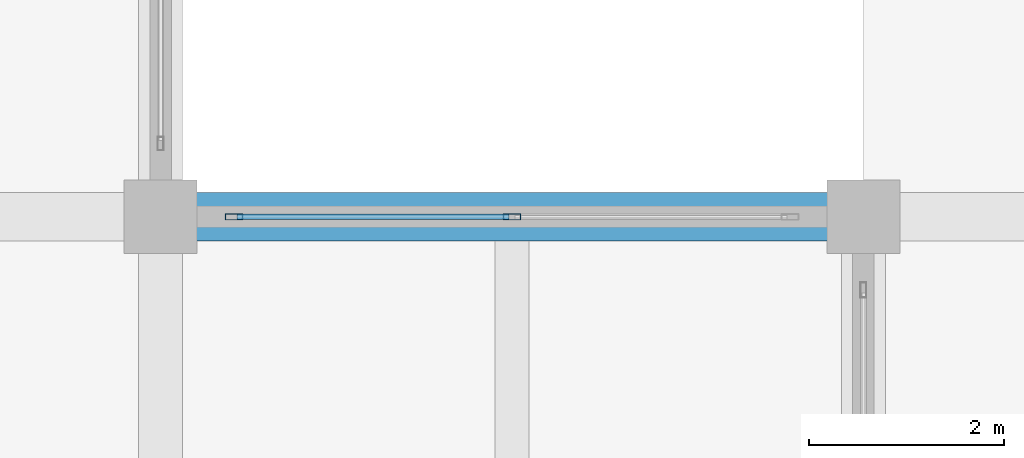
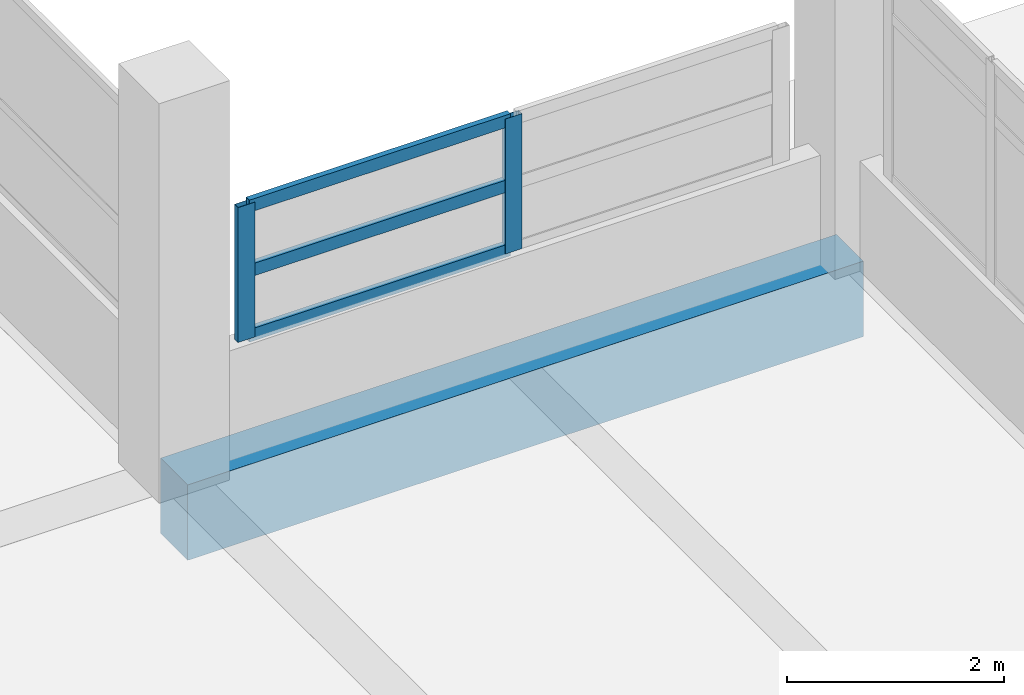
# One storey, part 41 of 141: 5 members, 1 beam, 1 element without a shape of its own.
"""IFC4 building model written with IfcOpenShell, lengths in metres."""

from ifc_helpers import new_model, si_unit, direction, frame, origin, origin_2d, place, context, subcontext, project, spatial, rectangle, hollow_rectangle, extrude, material, layer, layer_set, material_profile, profile_set, type_object, element, aggregate, save


model = new_model("IFC4")

# Units and contexts
model_context = context("Model", 3, precision=1e-05, world=origin(), true_north=direction((0.0, 1.0)))
body_context = subcontext(model_context, "Body", "Model", "MODEL_VIEW")
ifc_project = project(units=[si_unit("LENGTHUNIT", "METRE"), si_unit("AREAUNIT", "SQUARE_METRE"), si_unit("VOLUMEUNIT", "CUBIC_METRE"), si_unit("PLANEANGLEUNIT", "RADIAN"), si_unit("MASSUNIT", "GRAM", prefix="KILO")], contexts=[model_context])

# Site, building, storey
site_placement = place(None, origin())
site = spatial("IfcSite", under=ifc_project, at=site_placement, CompositionType="ELEMENT")
building_placement = place(site_placement, origin())
building = spatial("IfcBuilding", under=site, at=building_placement, Name="Seraya Terrace Polytechnic", CompositionType="ELEMENT")
storey_placement = place(building_placement, frame((0.0, 0.0, 14.39990234375)))
storey = spatial("IfcBuildingStorey", under=building, at=storey_placement, Name="L03", CompositionType="ELEMENT", Elevation=14.39990234375)

# Beam
ifc_material_1 = material(Name="Concrete C40/50", Category="concrete")
ifc_material_profile_1 = material_profile(ifc_material_1, rectangle(XDim=0.5, YDim=0.85009765625, at=origin_2d()), Name="RC 500x850")
ifc_profile_set_1 = profile_set([ifc_material_profile_1], Name="Concrete C40/50")
beam_type = type_object("IfcBeamType", Name="BM-05", PredefinedType="BEAM", material=ifc_profile_set_1)
beam_placement = place(storey_placement, frame((108.0, 28.800048828125, -0.4248046875), z_axis=(1.0, 0.0, 0.0), x_axis=(0.0, 1.0, 0.0)))
element("IfcBeam", 1, at=beam_placement, inside=storey, type_object=beam_type, Name="Beam BM-05 L03 X (108.0..115.2, 28.8)", PredefinedType="BEAM", context=body_context, shape_type="SweptSolid", body=[
    extrude(rectangle(XDim=0.5, YDim=0.85009765625, at=origin_2d()), origin(), (0.0, 0.0, 1.0), 7.199951171875),
])

# Curtain wall, members
ifc_material_2 = material(Name="Anodised aluminium EN AW-6063 T6", Category="aluminium")
ifc_layer = layer(ifc_material_2, 0.179931640625, Name="CW-25")
ifc_layer_set = layer_set([ifc_layer], Name="Anodised aluminium EN AW-6063 T6")
curtain_wall_type = type_object("IfcCurtainWallType", Name="CW-25", PredefinedType="NOTDEFINED", material=ifc_layer_set)
curtain_wall_placement = place(storey_placement, origin())
curtain_wall = element("IfcCurtainWall", 2, at=curtain_wall_placement, inside=storey, type_object=curtain_wall_type, Name="Unitised curtain wall CW-25 (CW-L03-133)", PredefinedType="NOTDEFINED")
ifc_material_profile_2 = material_profile(ifc_material_2, hollow_rectangle(XDim=0.06494140625, YDim=0.179931640625, WallThickness=0.00390625, at=origin_2d()), Name="RHS 180x65x4.0")
ifc_profile_set_2 = profile_set([ifc_material_profile_2], Name="Anodised aluminium EN AW-6063 T6")
member_type_1 = type_object("IfcMemberType", Name="CWM-01", PredefinedType="MULLION", material=ifc_profile_set_2)
member_1_placement = place(storey_placement, frame((108.75244140625, 28.800048828125, 1.239990234375), z_axis=(0.0, 0.0, 1.0), x_axis=(0.0, 1.0, 0.0)))
member_1 = element("IfcMember", 3, at=member_1_placement, type_object=member_type_1, Name="CW-25 mullion 1", PredefinedType="MULLION", context=body_context, shape_type="SweptSolid", body=[
    extrude(hollow_rectangle(XDim=0.06494140625, YDim=0.179931640625, WallThickness=0.00390625, at=origin_2d()), origin(), (0.0, 0.0, 1.0), 1.52001953125),
])
member_2_placement = place(storey_placement, frame((111.60009765625, 28.800048828125, 1.239990234375), z_axis=(0.0, 0.0, 1.0), x_axis=(0.0, 1.0, 0.0)))
member_2 = element("IfcMember", 4, at=member_2_placement, type_object=member_type_1, Name="CW-25 mullion 2", PredefinedType="MULLION", context=body_context, shape_type="SweptSolid", body=[
    extrude(hollow_rectangle(XDim=0.06494140625, YDim=0.179931640625, WallThickness=0.00390625, at=origin_2d()), origin(), (0.0, 0.0, 1.0), 1.52001953125),
])
ifc_material_profile_3 = material_profile(ifc_material_2, hollow_rectangle(XDim=0.06005859375, YDim=0.139892578125, WallThickness=0.00341796875, at=origin_2d()), Name="RHS 140x60x3.5")
ifc_profile_set_3 = profile_set([ifc_material_profile_3], Name="Anodised aluminium EN AW-6063 T6")
member_type_2 = type_object("IfcMemberType", Name="CWT-01", PredefinedType="USERDEFINED", material=ifc_profile_set_3)
member_3_placement = place(storey_placement, frame((108.784912109375, 28.800048828125, 1.27001953125), z_axis=(1.0, 0.0, 0.0), x_axis=(0.0, 1.0, 0.0)))
member_3 = element("IfcMember", 5, at=member_3_placement, type_object=member_type_2, Name="CW-25 transom 1.1", ObjectType="TRANSOM", PredefinedType="USERDEFINED", context=body_context, shape_type="SweptSolid", body=[
    extrude(hollow_rectangle(XDim=0.06005859375, YDim=0.139892578125, WallThickness=0.00341796875, at=origin_2d()), origin(), (0.0, 0.0, 1.0), 2.782470703125),
])
member_4_placement = place(storey_placement, frame((108.784912109375, 28.800048828125, 2.0), z_axis=(1.0, 0.0, 0.0), x_axis=(0.0, 1.0, 0.0)))
member_4 = element("IfcMember", 6, at=member_4_placement, type_object=member_type_2, Name="CW-25 transom 1.2", ObjectType="TRANSOM", PredefinedType="USERDEFINED", context=body_context, shape_type="SweptSolid", body=[
    extrude(hollow_rectangle(XDim=0.06005859375, YDim=0.139892578125, WallThickness=0.00341796875, at=origin_2d()), origin(), (0.0, 0.0, 1.0), 2.782470703125),
])
member_5_placement = place(storey_placement, frame((108.784912109375, 28.800048828125, 2.72998046875), z_axis=(1.0, 0.0, 0.0), x_axis=(0.0, 1.0, 0.0)))
member_5 = element("IfcMember", 7, at=member_5_placement, type_object=member_type_2, Name="CW-25 transom 1.3", ObjectType="TRANSOM", PredefinedType="USERDEFINED", context=body_context, shape_type="SweptSolid", body=[
    extrude(hollow_rectangle(XDim=0.06005859375, YDim=0.139892578125, WallThickness=0.00341796875, at=origin_2d()), origin(), (0.0, 0.0, 1.0), 2.782470703125),
])
aggregate(curtain_wall, [member_1, member_2, member_3, member_4, member_5])

save(model, "model.ifc")
